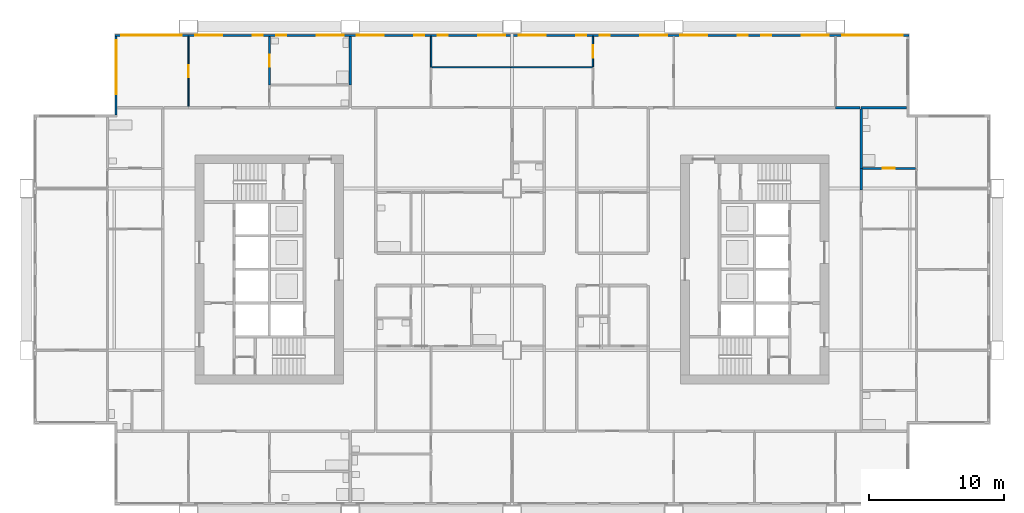
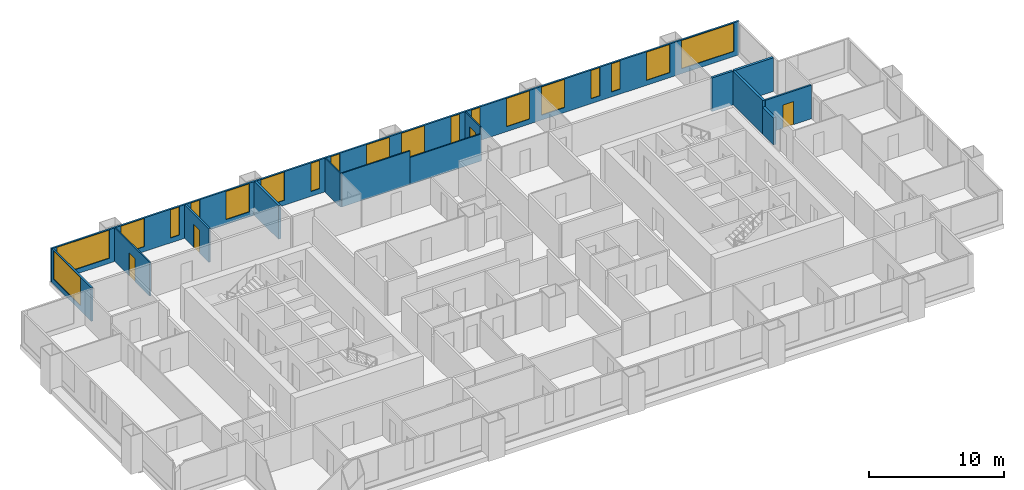
# One storey, part 8 of 13: 19 windows, 14 walls, 4 doors, 23 openings.
"""IFC4 building model written with IfcOpenShell, lengths in metres."""

from ifc_helpers import new_model, si_unit, direction, frame, frame_2d, origin, place, context, subcontext, project, spatial, rectangle, extrude, material, layer, layer_set, type_object, element, fill, save


model = new_model("IFC4")

# Units and contexts
model_context = context("Model", 3, precision=1e-05, world=origin(), true_north=direction((0.0, 1.0)))
body_context = subcontext(model_context, "Body", "Model", "MODEL_VIEW")
ifc_project = project(units=[si_unit("LENGTHUNIT", "METRE"), si_unit("AREAUNIT", "SQUARE_METRE"), si_unit("VOLUMEUNIT", "CUBIC_METRE"), si_unit("PLANEANGLEUNIT", "RADIAN"), si_unit("MASSUNIT", "GRAM", prefix="KILO")], contexts=[model_context])

# Site, building, storey
site_placement = place(None, origin())
site = spatial("IfcSite", under=ifc_project, at=site_placement, CompositionType="ELEMENT")
building_placement = place(site_placement, origin())
building = spatial("IfcBuilding", under=site, at=building_placement, Name="Kitamizu Gate Tower and Museum", CompositionType="ELEMENT")
storey_placement = place(building_placement, frame((0.0, 0.0, 144.89990234375)))
storey = spatial("IfcBuildingStorey", under=building, at=storey_placement, Name="L38", CompositionType="ELEMENT", Elevation=144.89990234375)

# Wall, opening, door
ifc_material_1 = material(Name="Gypsum board on galvanised stud")
ifc_layer_1 = layer(ifc_material_1, 0.10009765625)
ifc_layer_set_1 = layer_set([ifc_layer_1], Name="Gypsum board on galvanised stud")
wall_type_1 = type_object("IfcWallType", Name="Partition 100 NOT RATED", PredefinedType="PARTITIONING", material=ifc_layer_set_1)
wall_1_placement = place(storey_placement, frame((12.0, 42.10009765625, 0.0), z_axis=(0.0, 0.0, 1.0), x_axis=(0.0, 1.0, 0.0)))
wall_1 = element("IfcWall", 1, at=wall_1_placement, inside=storey, type_object=wall_type_1, Name="Partition L38-104", PredefinedType="PARTITIONING", context=body_context, shape_type="SweptSolid", body=[
    extrude(rectangle(XDim=5.179931640625, YDim=0.10009765625, at=frame_2d((2.58984375, 0.0))), origin(), (0.0, 0.0, 1.0), 3.050048828125),
])
opening_1_placement = place(wall_1_placement, frame((2.139892578125, 0.0, 0.0)))
opening_1 = element("IfcOpeningElement", 2, at=opening_1_placement, cuts=wall_1, Name="Opening L38-039", PredefinedType="OPENING", context=body_context, shape_type="SweptSolid", body=[
    extrude(rectangle(XDim=0.89990234375, YDim=2.10009765625, at=frame_2d((0.449951171875, 1.050048828125))), frame((0.0, 0.06005859375, 0.0), z_axis=(0.0, -1.0, 0.0), x_axis=(1.0, 0.0, 0.0)), (0.0, 0.0, 1.0), 0.1201171875),
])
ifc_material_2 = material(Name="Timber door set", Category="wood")
door_type_1 = type_object("IfcDoorType", Name="Room door 900", OperationType="NOTDEFINED", PredefinedType="DOOR", material=ifc_material_2)
door_1_placement = place(opening_1_placement, origin())
door_1 = element("IfcDoor", 3, at=door_1_placement, inside=storey, type_object=door_type_1, Name="Door L38-039", OperationType="SINGLE_SWING_RIGHT", OverallHeight=2.10009765625, OverallWidth=0.89990234375, PredefinedType="DOOR", context=body_context, shape_type="SweptSolid", body=[
    extrude(rectangle(XDim=0.89990234375, YDim=2.10009765625, at=frame_2d((0.449951171875, 1.050048828125))), frame((0.0, 0.02490234375, 0.0), z_axis=(0.0, -1.0, 0.0), x_axis=(1.0, 0.0, 0.0)), (0.0, 0.0, 1.0), 0.050048828125),
])
fill(opening_1, door_1)

# Walls
wall_2_placement = place(storey_placement, frame((30.0, 45.0, 0.0), z_axis=(0.0, 0.0, 1.0), x_axis=(0.0, 1.0, 0.0)))
element("IfcWall", 4, at=wall_2_placement, inside=storey, type_object=wall_type_1, Name="Partition L38-114", PredefinedType="PARTITIONING", context=body_context, shape_type="SweptSolid", body=[
    extrude(rectangle(XDim=2.280029296875, YDim=0.10009765625, at=frame_2d((1.14013671875, 0.0))), origin(), (0.0, 0.0, 1.0), 3.050048828125),
])
wall_3_placement = place(storey_placement, frame((42.0, 45.0, 0.0), z_axis=(0.0, 0.0, 1.0), x_axis=(-1.0, 0.0, 0.0)))
element("IfcWall", 5, at=wall_3_placement, inside=storey, type_object=wall_type_1, Name="Partition L38-117", PredefinedType="PARTITIONING", context=body_context, shape_type="SweptSolid", body=[
    extrude(rectangle(XDim=6.10009765625, YDim=0.10009765625, at=frame_2d((3.050048828125, 0.0))), origin(), (0.0, 0.0, 1.0), 2.4501953125),
])
wall_4_placement = place(storey_placement, frame((35.89990234375, 45.0, 0.0), z_axis=(0.0, 0.0, 1.0), x_axis=(-1.0, 0.0, 0.0)))
element("IfcWall", 6, at=wall_4_placement, inside=storey, type_object=wall_type_1, Name="Partition L38-118", PredefinedType="PARTITIONING", context=body_context, shape_type="SweptSolid", body=[
    extrude(rectangle(XDim=5.849853515625, YDim=0.10009765625, at=frame_2d((2.9248046875, 0.0))), origin(), (0.0, 0.0, 1.0), 3.050048828125),
])

# Wall, opening, door
wall_5_placement = place(storey_placement, frame((42.0, 45.050048828125, 0.0), z_axis=(0.0, 0.0, 1.0), x_axis=(0.0, 1.0, 0.0)))
wall_5 = element("IfcWall", 7, at=wall_5_placement, inside=storey, type_object=wall_type_1, Name="Partition L38-124", PredefinedType="PARTITIONING", context=body_context, shape_type="SweptSolid", body=[
    extrude(rectangle(XDim=2.22998046875, YDim=0.10009765625, at=frame_2d((1.114990234375, 0.0))), origin(), (0.0, 0.0, 1.0), 3.050048828125),
])
opening_2_placement = place(wall_5_placement, frame((0.6650390625, 0.0, 0.0)))
opening_2 = element("IfcOpeningElement", 8, at=opening_2_placement, cuts=wall_5, Name="Opening L38-045", PredefinedType="OPENING", context=body_context, shape_type="SweptSolid", body=[
    extrude(rectangle(XDim=0.89990234375, YDim=2.10009765625, at=frame_2d((0.449951171875, 1.050048828125))), frame((0.0, 0.06005859375, 0.0), z_axis=(0.0, -1.0, 0.0), x_axis=(1.0, 0.0, 0.0)), (0.0, 0.0, 1.0), 0.1201171875),
])
door_2_placement = place(opening_2_placement, origin())
door_2 = element("IfcDoor", 9, at=door_2_placement, inside=storey, type_object=door_type_1, Name="Door L38-045", OperationType="SINGLE_SWING_LEFT", OverallHeight=2.10009765625, OverallWidth=0.89990234375, PredefinedType="DOOR", context=body_context, shape_type="SweptSolid", body=[
    extrude(rectangle(XDim=0.89990234375, YDim=2.10009765625, at=frame_2d((0.449951171875, 1.050048828125))), frame((0.0, 0.02490234375, 0.0), z_axis=(0.0, -1.0, 0.0), x_axis=(1.0, 0.0, 0.0)), (0.0, 0.0, 1.0), 0.050048828125),
])
fill(opening_2, door_2)

ifc_material_3 = material(Name="Gypsum board on galvanised stud")
ifc_layer_2 = layer(ifc_material_3, 0.14990234375)
ifc_layer_set_2 = layer_set([ifc_layer_2], Name="Gypsum board on galvanised stud")
wall_type_2 = type_object("IfcWallType", Name="Partition 150", PredefinedType="PARTITIONING", material=ifc_layer_set_2)
wall_6_placement = place(storey_placement, frame((65.925048828125, 37.5, 0.0), z_axis=(0.0, 0.0, 1.0), x_axis=(-1.0, 0.0, 0.0)))
wall_6 = element("IfcWall", 10, at=wall_6_placement, inside=storey, type_object=wall_type_2, Name="Partition L38-099", PredefinedType="PARTITIONING", context=body_context, shape_type="SweptSolid", body=[
    extrude(rectangle(XDim=3.925048828125, YDim=0.14990234375, at=frame_2d((1.96240234375, 0.0))), origin(), (0.0, 0.0, 1.0), 3.050048828125),
])
opening_3_placement = place(wall_6_placement, frame((1.512451171875, 0.0, 0.0)))
opening_3 = element("IfcOpeningElement", 11, at=opening_3_placement, cuts=wall_6, Name="Opening L38-034", PredefinedType="OPENING", context=body_context, shape_type="SweptSolid", body=[
    extrude(rectangle(XDim=0.89990234375, YDim=2.10009765625, at=frame_2d((0.449951171875, 1.050048828125))), frame((0.0, 0.0849609375, 0.0), z_axis=(0.0, -1.0, 0.0), x_axis=(1.0, 0.0, 0.0)), (0.0, 0.0, 1.0), 0.169921875),
])
ifc_material_4 = material(Name="Timber door set", Category="wood")
door_type_2 = type_object("IfcDoorType", Name="Bathroom door 900", OperationType="NOTDEFINED", PredefinedType="DOOR", material=ifc_material_4)
door_3_placement = place(opening_3_placement, frame((0.89990234375, 0.0, 0.0), x_axis=(-1.0, 0.0, 0.0)))
door_3 = element("IfcDoor", 12, at=door_3_placement, inside=storey, type_object=door_type_2, Name="Bathroom door L38-034", OperationType="SINGLE_SWING_LEFT", OverallHeight=2.10009765625, OverallWidth=0.89990234375, PredefinedType="DOOR", context=body_context, shape_type="SweptSolid", body=[
    extrude(rectangle(XDim=0.89990234375, YDim=2.10009765625, at=frame_2d((0.449951171875, 1.050048828125))), frame((0.0, 0.02490234375, 0.0), z_axis=(0.0, -1.0, 0.0), x_axis=(1.0, 0.0, 0.0)), (0.0, 0.0, 1.0), 0.050048828125),
])
fill(opening_3, door_3)

wall_7_placement = place(storey_placement, frame((18.0, 43.679931640625, 0.0), z_axis=(0.0, 0.0, 1.0), x_axis=(0.0, 1.0, 0.0)))
wall_7 = element("IfcWall", 13, at=wall_7_placement, inside=storey, type_object=wall_type_2, Name="Partition L38-106", PredefinedType="PARTITIONING", context=body_context, shape_type="SweptSolid", body=[
    extrude(rectangle(XDim=3.60009765625, YDim=0.14990234375, at=frame_2d((1.800048828125, 0.0))), origin(), (0.0, 0.0, 1.0), 3.050048828125),
])
opening_4_placement = place(wall_7_placement, frame((1.35009765625, 0.0, 0.0)))
opening_4 = element("IfcOpeningElement", 14, at=opening_4_placement, cuts=wall_7, Name="Opening L38-040", PredefinedType="OPENING", context=body_context, shape_type="SweptSolid", body=[
    extrude(rectangle(XDim=0.89990234375, YDim=2.10009765625, at=frame_2d((0.449951171875, 1.050048828125))), frame((0.0, 0.0849609375, 0.0), z_axis=(0.0, -1.0, 0.0), x_axis=(1.0, 0.0, 0.0)), (0.0, 0.0, 1.0), 0.169921875),
])
door_4_placement = place(opening_4_placement, frame((0.89990234375, 0.0, 0.0), x_axis=(-1.0, 0.0, 0.0)))
door_4 = element("IfcDoor", 15, at=door_4_placement, inside=storey, type_object=door_type_2, Name="Bathroom door L38-040", OperationType="SINGLE_SWING_RIGHT", OverallHeight=2.10009765625, OverallWidth=0.89990234375, PredefinedType="DOOR", context=body_context, shape_type="SweptSolid", body=[
    extrude(rectangle(XDim=0.89990234375, YDim=2.10009765625, at=frame_2d((0.449951171875, 1.050048828125))), frame((0.0, 0.02490234375, 0.0), z_axis=(0.0, -1.0, 0.0), x_axis=(1.0, 0.0, 0.0)), (0.0, 0.0, 1.0), 0.050048828125),
])
fill(opening_4, door_4)

# Walls
ifc_material_5 = material(Name="Gypsum board on galvanised stud")
ifc_layer_3 = layer(ifc_material_5, 0.199951171875)
ifc_layer_set_3 = layer_set([ifc_layer_3], Name="Gypsum board on galvanised stud")
wall_type_3 = type_object("IfcWallType", Name="Partition 200", PredefinedType="PARTITIONING", material=ifc_layer_set_3)
wall_8_placement = place(storey_placement, frame((61.89990234375, 37.5, 0.0), z_axis=(0.0, 0.0, 1.0), x_axis=(0.0, -1.0, 0.0)))
element("IfcWall", 16, at=wall_8_placement, inside=storey, type_object=wall_type_3, Name="Partition L38-100", PredefinedType="PARTITIONING", context=body_context, shape_type="SweptSolid", body=[
    extrude(rectangle(XDim=1.60009765625, YDim=0.199951171875, at=frame_2d((0.800048828125, 0.0))), origin(), (0.0, 0.0, 1.0), 2.4501953125),
])
wall_9_placement = place(storey_placement, frame((65.280029296875, 42.0, 0.0), z_axis=(0.0, 0.0, 1.0), x_axis=(-1.0, 0.0, 0.0)))
element("IfcWall", 17, at=wall_9_placement, inside=storey, type_object=wall_type_3, Name="Partition L38-102", PredefinedType="PARTITIONING", context=body_context, shape_type="SweptSolid", body=[
    extrude(rectangle(XDim=3.380126953125, YDim=0.199951171875, at=frame_2d((1.68994140625, 0.0))), origin(), (0.0, 0.0, 1.0), 3.050048828125),
])
wall_10_placement = place(storey_placement, frame((61.89990234375, 41.89990234375, 0.0), z_axis=(0.0, 0.0, 1.0), x_axis=(0.0, -1.0, 0.0)))
element("IfcWall", 18, at=wall_10_placement, inside=storey, type_object=wall_type_3, Name="Partition L38-103", PredefinedType="PARTITIONING", context=body_context, shape_type="SweptSolid", body=[
    extrude(rectangle(XDim=4.39990234375, YDim=0.199951171875, at=frame_2d((2.199951171875, 0.0))), origin(), (0.0, 0.0, 1.0), 3.050048828125),
])
wall_11_placement = place(storey_placement, frame((24.0, 43.679931640625, 0.0), z_axis=(0.0, 0.0, 1.0), x_axis=(0.0, 1.0, 0.0)))
element("IfcWall", 19, at=wall_11_placement, inside=storey, type_object=wall_type_3, Name="Partition L38-110", PredefinedType="PARTITIONING", context=body_context, shape_type="SweptSolid", body=[
    extrude(rectangle(XDim=3.60009765625, YDim=0.199951171875, at=frame_2d((1.800048828125, 0.0))), origin(), (0.0, 0.0, 1.0), 3.050048828125),
])
wall_12_placement = place(storey_placement, frame((60.0, 42.0, 0.0), z_axis=(0.0, 0.0, 1.0), x_axis=(1.0, 0.0, 0.0)))
element("IfcWall", 20, at=wall_12_placement, inside=storey, type_object=wall_type_3, Name="Partition L38-130", PredefinedType="PARTITIONING", context=body_context, shape_type="SweptSolid", body=[
    extrude(rectangle(XDim=1.800048828125, YDim=0.199951171875, at=frame_2d((0.89990234375, 0.0))), origin(), (0.0, 0.0, 1.0), 3.050048828125),
])

# Wall, openings, windows
ifc_material_6 = material(Name="Bronze anodised aluminium frame with insulated spandrel and tinted glass", Category="aluminium")
ifc_layer_4 = layer(ifc_material_6, 0.14990234375)
ifc_layer_set_4 = layer_set([ifc_layer_4], Name="Bronze anodised aluminium frame with insulated spandrel and tinted glass")
wall_type_4 = type_object("IfcWallType", Name="WINDOW WALL 150 BRONZE FRAME EI 30", PredefinedType="ELEMENTEDWALL", material=ifc_layer_set_4)
wall_13_placement = place(storey_placement, frame((6.56005859375, 47.364990234375, 0.0), z_axis=(0.0, 0.0, 1.0), x_axis=(1.0, 0.0, 0.0)))
wall_13 = element("IfcWall", 21, at=wall_13_placement, inside=storey, type_object=wall_type_4, Name="Window wall north L38", PredefinedType="ELEMENTEDWALL", context=body_context, shape_type="SweptSolid", body=[
    extrude(rectangle(XDim=58.8798828125, YDim=0.14990234375, at=frame_2d((29.43994140625, 0.0))), origin(), (0.0, 0.0, 1.0), 3.050048828125),
])
opening_5_placement = place(wall_13_placement, frame((0.43994140625, 0.0, 0.449951171875)))
opening_5 = element("IfcOpeningElement", 22, at=opening_5_placement, cuts=wall_13, Name="Opening W15", PredefinedType="OPENING", context=body_context, shape_type="SweptSolid", body=[
    extrude(rectangle(XDim=4.5, YDim=2.550048828125, at=frame_2d((2.25, 1.27490234375))), frame((0.0, 0.0849609375, 0.0), z_axis=(0.0, -1.0, 0.0), x_axis=(1.0, 0.0, 0.0)), (0.0, 0.0, 1.0), 0.169921875),
])
opening_6_placement = place(wall_13_placement, frame((5.93994140625, 0.0, 0.449951171875)))
opening_6 = element("IfcOpeningElement", 23, at=opening_6_placement, cuts=wall_13, Name="Opening W2", PredefinedType="OPENING", context=body_context, shape_type="SweptSolid", body=[
    extrude(rectangle(XDim=2.0, YDim=2.550048828125, at=frame_2d((1.0, 1.27490234375))), frame((0.0, 0.0849609375, 0.0), z_axis=(0.0, -1.0, 0.0), x_axis=(1.0, 0.0, 0.0)), (0.0, 0.0, 1.0), 0.169921875),
])
opening_7_placement = place(wall_13_placement, frame((10.18994140625, 0.0, 0.449951171875)))
opening_7 = element("IfcOpeningElement", 24, at=opening_7_placement, cuts=wall_13, Name="Opening W25", PredefinedType="OPENING", context=body_context, shape_type="SweptSolid", body=[
    extrude(rectangle(XDim=0.75, YDim=2.550048828125, at=frame_2d((0.375, 1.27490234375))), frame((0.0, 0.0849609375, 0.0), z_axis=(0.0, -1.0, 0.0), x_axis=(1.0, 0.0, 0.0)), (0.0, 0.0, 1.0), 0.169921875),
])
opening_8_placement = place(wall_13_placement, frame((11.93994140625, 0.0, 0.449951171875)))
opening_8 = element("IfcOpeningElement", 25, at=opening_8_placement, cuts=wall_13, Name="Opening W25", PredefinedType="OPENING", context=body_context, shape_type="SweptSolid", body=[
    extrude(rectangle(XDim=0.75, YDim=2.550048828125, at=frame_2d((0.375, 1.27490234375))), frame((0.0, 0.0849609375, 0.0), z_axis=(0.0, -1.0, 0.0), x_axis=(1.0, 0.0, 0.0)), (0.0, 0.0, 1.0), 0.169921875),
])
opening_9_placement = place(wall_13_placement, frame((14.93994140625, 0.0, 0.449951171875)))
opening_9 = element("IfcOpeningElement", 26, at=opening_9_placement, cuts=wall_13, Name="Opening W2", PredefinedType="OPENING", context=body_context, shape_type="SweptSolid", body=[
    extrude(rectangle(XDim=2.0, YDim=2.550048828125, at=frame_2d((1.0, 1.27490234375))), frame((0.0, 0.0849609375, 0.0), z_axis=(0.0, -1.0, 0.0), x_axis=(1.0, 0.0, 0.0)), (0.0, 0.0, 1.0), 0.169921875),
])
opening_10_placement = place(wall_13_placement, frame((17.93994140625, 0.0, 0.449951171875)))
opening_10 = element("IfcOpeningElement", 27, at=opening_10_placement, cuts=wall_13, Name="Opening W2", PredefinedType="OPENING", context=body_context, shape_type="SweptSolid", body=[
    extrude(rectangle(XDim=2.0, YDim=2.550048828125, at=frame_2d((1.0, 1.27490234375))), frame((0.0, 0.0849609375, 0.0), z_axis=(0.0, -1.0, 0.0), x_axis=(1.0, 0.0, 0.0)), (0.0, 0.0, 1.0), 0.169921875),
])
opening_11_placement = place(wall_13_placement, frame((22.18994140625, 0.0, 0.449951171875)))
opening_11 = element("IfcOpeningElement", 28, at=opening_11_placement, cuts=wall_13, Name="Opening W25", PredefinedType="OPENING", context=body_context, shape_type="SweptSolid", body=[
    extrude(rectangle(XDim=0.75, YDim=2.550048828125, at=frame_2d((0.375, 1.27490234375))), frame((0.0, 0.0849609375, 0.0), z_axis=(0.0, -1.0, 0.0), x_axis=(1.0, 0.0, 0.0)), (0.0, 0.0, 1.0), 0.169921875),
])
opening_12_placement = place(wall_13_placement, frame((23.93994140625, 0.0, 0.449951171875)))
opening_12 = element("IfcOpeningElement", 29, at=opening_12_placement, cuts=wall_13, Name="Opening W25", PredefinedType="OPENING", context=body_context, shape_type="SweptSolid", body=[
    extrude(rectangle(XDim=0.75, YDim=2.550048828125, at=frame_2d((0.375, 1.27490234375))), frame((0.0, 0.0849609375, 0.0), z_axis=(0.0, -1.0, 0.0), x_axis=(1.0, 0.0, 0.0)), (0.0, 0.0, 1.0), 0.169921875),
])
opening_13_placement = place(wall_13_placement, frame((26.93994140625, 0.0, 0.449951171875)))
opening_13 = element("IfcOpeningElement", 30, at=opening_13_placement, cuts=wall_13, Name="Opening W2", PredefinedType="OPENING", context=body_context, shape_type="SweptSolid", body=[
    extrude(rectangle(XDim=2.0, YDim=2.550048828125, at=frame_2d((1.0, 1.27490234375))), frame((0.0, 0.0849609375, 0.0), z_axis=(0.0, -1.0, 0.0), x_axis=(1.0, 0.0, 0.0)), (0.0, 0.0, 1.0), 0.169921875),
])
opening_14_placement = place(wall_13_placement, frame((29.93994140625, 0.0, 0.449951171875)))
opening_14 = element("IfcOpeningElement", 31, at=opening_14_placement, cuts=wall_13, Name="Opening W2", PredefinedType="OPENING", context=body_context, shape_type="SweptSolid", body=[
    extrude(rectangle(XDim=2.0, YDim=2.550048828125, at=frame_2d((1.0, 1.27490234375))), frame((0.0, 0.0849609375, 0.0), z_axis=(0.0, -1.0, 0.0), x_axis=(1.0, 0.0, 0.0)), (0.0, 0.0, 1.0), 0.169921875),
])
opening_15_placement = place(wall_13_placement, frame((34.18994140625, 0.0, 0.449951171875)))
opening_15 = element("IfcOpeningElement", 32, at=opening_15_placement, cuts=wall_13, Name="Opening W25", PredefinedType="OPENING", context=body_context, shape_type="SweptSolid", body=[
    extrude(rectangle(XDim=0.75, YDim=2.550048828125, at=frame_2d((0.375, 1.27490234375))), frame((0.0, 0.0849609375, 0.0), z_axis=(0.0, -1.0, 0.0), x_axis=(1.0, 0.0, 0.0)), (0.0, 0.0, 1.0), 0.169921875),
])
opening_16_placement = place(wall_13_placement, frame((35.93994140625, 0.0, 0.449951171875)))
opening_16 = element("IfcOpeningElement", 33, at=opening_16_placement, cuts=wall_13, Name="Opening W25", PredefinedType="OPENING", context=body_context, shape_type="SweptSolid", body=[
    extrude(rectangle(XDim=0.75, YDim=2.550048828125, at=frame_2d((0.375, 1.27490234375))), frame((0.0, 0.0849609375, 0.0), z_axis=(0.0, -1.0, 0.0), x_axis=(1.0, 0.0, 0.0)), (0.0, 0.0, 1.0), 0.169921875),
])
opening_17_placement = place(wall_13_placement, frame((38.93994140625, 0.0, 0.449951171875)))
opening_17 = element("IfcOpeningElement", 34, at=opening_17_placement, cuts=wall_13, Name="Opening W2", PredefinedType="OPENING", context=body_context, shape_type="SweptSolid", body=[
    extrude(rectangle(XDim=2.0, YDim=2.550048828125, at=frame_2d((1.0, 1.27490234375))), frame((0.0, 0.0849609375, 0.0), z_axis=(0.0, -1.0, 0.0), x_axis=(1.0, 0.0, 0.0)), (0.0, 0.0, 1.0), 0.169921875),
])
opening_18_placement = place(wall_13_placement, frame((41.93994140625, 0.0, 0.449951171875)))
opening_18 = element("IfcOpeningElement", 35, at=opening_18_placement, cuts=wall_13, Name="Opening W2", PredefinedType="OPENING", context=body_context, shape_type="SweptSolid", body=[
    extrude(rectangle(XDim=2.0, YDim=2.550048828125, at=frame_2d((1.0, 1.27490234375))), frame((0.0, 0.0849609375, 0.0), z_axis=(0.0, -1.0, 0.0), x_axis=(1.0, 0.0, 0.0)), (0.0, 0.0, 1.0), 0.169921875),
])
opening_19_placement = place(wall_13_placement, frame((46.18994140625, 0.0, 0.449951171875)))
opening_19 = element("IfcOpeningElement", 36, at=opening_19_placement, cuts=wall_13, Name="Opening W25", PredefinedType="OPENING", context=body_context, shape_type="SweptSolid", body=[
    extrude(rectangle(XDim=0.75, YDim=2.550048828125, at=frame_2d((0.375, 1.27490234375))), frame((0.0, 0.0849609375, 0.0), z_axis=(0.0, -1.0, 0.0), x_axis=(1.0, 0.0, 0.0)), (0.0, 0.0, 1.0), 0.169921875),
])
opening_20_placement = place(wall_13_placement, frame((47.93994140625, 0.0, 0.449951171875)))
opening_20 = element("IfcOpeningElement", 37, at=opening_20_placement, cuts=wall_13, Name="Opening W25", PredefinedType="OPENING", context=body_context, shape_type="SweptSolid", body=[
    extrude(rectangle(XDim=0.75, YDim=2.550048828125, at=frame_2d((0.375, 1.27490234375))), frame((0.0, 0.0849609375, 0.0), z_axis=(0.0, -1.0, 0.0), x_axis=(1.0, 0.0, 0.0)), (0.0, 0.0, 1.0), 0.169921875),
])
opening_21_placement = place(wall_13_placement, frame((50.93994140625, 0.0, 0.449951171875)))
opening_21 = element("IfcOpeningElement", 38, at=opening_21_placement, cuts=wall_13, Name="Opening W2", PredefinedType="OPENING", context=body_context, shape_type="SweptSolid", body=[
    extrude(rectangle(XDim=2.0, YDim=2.550048828125, at=frame_2d((1.0, 1.27490234375))), frame((0.0, 0.0849609375, 0.0), z_axis=(0.0, -1.0, 0.0), x_axis=(1.0, 0.0, 0.0)), (0.0, 0.0, 1.0), 0.169921875),
])
opening_22_placement = place(wall_13_placement, frame((53.93994140625, 0.0, 0.449951171875)))
opening_22 = element("IfcOpeningElement", 39, at=opening_22_placement, cuts=wall_13, Name="Opening W15", PredefinedType="OPENING", context=body_context, shape_type="SweptSolid", body=[
    extrude(rectangle(XDim=4.5, YDim=2.550048828125, at=frame_2d((2.25, 1.27490234375))), frame((0.0, 0.0849609375, 0.0), z_axis=(0.0, -1.0, 0.0), x_axis=(1.0, 0.0, 0.0)), (0.0, 0.0, 1.0), 0.169921875),
])
ifc_material_7 = material(Name="Bronze anodised aluminium frame, tinted triple glazing", Category="aluminium")
window_type_1 = type_object("IfcWindowType", Name="WINDOW 2000 x 2550 SILL 450", PartitioningType="SINGLE_PANEL", PredefinedType="WINDOW", material=ifc_material_7)
window_1_placement = place(opening_6_placement, origin())
window_1 = element("IfcWindow", 40, at=window_1_placement, inside=storey, type_object=window_type_1, Name="Window W2 L38", OverallHeight=2.550048828125, OverallWidth=2.0, PartitioningType="SINGLE_PANEL", PredefinedType="WINDOW", context=body_context, shape_type="SweptSolid", body=[
    extrude(rectangle(XDim=2.0, YDim=2.550048828125, at=frame_2d((1.0, 1.27490234375))), frame((0.0, 0.030029296875, 0.0), z_axis=(0.0, -1.0, 0.0), x_axis=(1.0, 0.0, 0.0)), (0.0, 0.0, 1.0), 0.06005859375),
])
fill(opening_6, window_1)
window_2_placement = place(opening_9_placement, origin())
window_2 = element("IfcWindow", 41, at=window_2_placement, inside=storey, type_object=window_type_1, Name="Window W2 L38", OverallHeight=2.550048828125, OverallWidth=2.0, PartitioningType="SINGLE_PANEL", PredefinedType="WINDOW", context=body_context, shape_type="SweptSolid", body=[
    extrude(rectangle(XDim=2.0, YDim=2.550048828125, at=frame_2d((1.0, 1.27490234375))), frame((0.0, 0.030029296875, 0.0), z_axis=(0.0, -1.0, 0.0), x_axis=(1.0, 0.0, 0.0)), (0.0, 0.0, 1.0), 0.06005859375),
])
fill(opening_9, window_2)
window_3_placement = place(opening_10_placement, origin())
window_3 = element("IfcWindow", 42, at=window_3_placement, inside=storey, type_object=window_type_1, Name="Window W2 L38", OverallHeight=2.550048828125, OverallWidth=2.0, PartitioningType="SINGLE_PANEL", PredefinedType="WINDOW", context=body_context, shape_type="SweptSolid", body=[
    extrude(rectangle(XDim=2.0, YDim=2.550048828125, at=frame_2d((1.0, 1.27490234375))), frame((0.0, 0.030029296875, 0.0), z_axis=(0.0, -1.0, 0.0), x_axis=(1.0, 0.0, 0.0)), (0.0, 0.0, 1.0), 0.06005859375),
])
fill(opening_10, window_3)
window_4_placement = place(opening_13_placement, origin())
window_4 = element("IfcWindow", 43, at=window_4_placement, inside=storey, type_object=window_type_1, Name="Window W2 L38", OverallHeight=2.550048828125, OverallWidth=2.0, PartitioningType="SINGLE_PANEL", PredefinedType="WINDOW", context=body_context, shape_type="SweptSolid", body=[
    extrude(rectangle(XDim=2.0, YDim=2.550048828125, at=frame_2d((1.0, 1.27490234375))), frame((0.0, 0.030029296875, 0.0), z_axis=(0.0, -1.0, 0.0), x_axis=(1.0, 0.0, 0.0)), (0.0, 0.0, 1.0), 0.06005859375),
])
fill(opening_13, window_4)
window_5_placement = place(opening_14_placement, origin())
window_5 = element("IfcWindow", 44, at=window_5_placement, inside=storey, type_object=window_type_1, Name="Window W2 L38", OverallHeight=2.550048828125, OverallWidth=2.0, PartitioningType="SINGLE_PANEL", PredefinedType="WINDOW", context=body_context, shape_type="SweptSolid", body=[
    extrude(rectangle(XDim=2.0, YDim=2.550048828125, at=frame_2d((1.0, 1.27490234375))), frame((0.0, 0.030029296875, 0.0), z_axis=(0.0, -1.0, 0.0), x_axis=(1.0, 0.0, 0.0)), (0.0, 0.0, 1.0), 0.06005859375),
])
fill(opening_14, window_5)
window_6_placement = place(opening_17_placement, origin())
window_6 = element("IfcWindow", 45, at=window_6_placement, inside=storey, type_object=window_type_1, Name="Window W2 L38", OverallHeight=2.550048828125, OverallWidth=2.0, PartitioningType="SINGLE_PANEL", PredefinedType="WINDOW", context=body_context, shape_type="SweptSolid", body=[
    extrude(rectangle(XDim=2.0, YDim=2.550048828125, at=frame_2d((1.0, 1.27490234375))), frame((0.0, 0.030029296875, 0.0), z_axis=(0.0, -1.0, 0.0), x_axis=(1.0, 0.0, 0.0)), (0.0, 0.0, 1.0), 0.06005859375),
])
fill(opening_17, window_6)
window_7_placement = place(opening_18_placement, origin())
window_7 = element("IfcWindow", 46, at=window_7_placement, inside=storey, type_object=window_type_1, Name="Window W2 L38", OverallHeight=2.550048828125, OverallWidth=2.0, PartitioningType="SINGLE_PANEL", PredefinedType="WINDOW", context=body_context, shape_type="SweptSolid", body=[
    extrude(rectangle(XDim=2.0, YDim=2.550048828125, at=frame_2d((1.0, 1.27490234375))), frame((0.0, 0.030029296875, 0.0), z_axis=(0.0, -1.0, 0.0), x_axis=(1.0, 0.0, 0.0)), (0.0, 0.0, 1.0), 0.06005859375),
])
fill(opening_18, window_7)
window_8_placement = place(opening_21_placement, origin())
window_8 = element("IfcWindow", 47, at=window_8_placement, inside=storey, type_object=window_type_1, Name="Window W2 L38", OverallHeight=2.550048828125, OverallWidth=2.0, PartitioningType="SINGLE_PANEL", PredefinedType="WINDOW", context=body_context, shape_type="SweptSolid", body=[
    extrude(rectangle(XDim=2.0, YDim=2.550048828125, at=frame_2d((1.0, 1.27490234375))), frame((0.0, 0.030029296875, 0.0), z_axis=(0.0, -1.0, 0.0), x_axis=(1.0, 0.0, 0.0)), (0.0, 0.0, 1.0), 0.06005859375),
])
fill(opening_21, window_8)
ifc_material_8 = material(Name="Bronze anodised aluminium frame, tinted triple glazing", Category="aluminium")
window_type_2 = type_object("IfcWindowType", Name="WINDOW 4500 x 2550 SILL 450", PartitioningType="SINGLE_PANEL", PredefinedType="WINDOW", material=ifc_material_8)
window_9_placement = place(opening_5_placement, origin())
window_9 = element("IfcWindow", 48, at=window_9_placement, inside=storey, type_object=window_type_2, Name="Window W15 L38", OverallHeight=2.550048828125, OverallWidth=4.5, PartitioningType="SINGLE_PANEL", PredefinedType="WINDOW", context=body_context, shape_type="SweptSolid", body=[
    extrude(rectangle(XDim=4.5, YDim=2.550048828125, at=frame_2d((2.25, 1.27490234375))), frame((0.0, 0.030029296875, 0.0), z_axis=(0.0, -1.0, 0.0), x_axis=(1.0, 0.0, 0.0)), (0.0, 0.0, 1.0), 0.06005859375),
])
fill(opening_5, window_9)
window_10_placement = place(opening_22_placement, origin())
window_10 = element("IfcWindow", 49, at=window_10_placement, inside=storey, type_object=window_type_2, Name="Window W15 L38", OverallHeight=2.550048828125, OverallWidth=4.5, PartitioningType="SINGLE_PANEL", PredefinedType="WINDOW", context=body_context, shape_type="SweptSolid", body=[
    extrude(rectangle(XDim=4.5, YDim=2.550048828125, at=frame_2d((2.25, 1.27490234375))), frame((0.0, 0.030029296875, 0.0), z_axis=(0.0, -1.0, 0.0), x_axis=(1.0, 0.0, 0.0)), (0.0, 0.0, 1.0), 0.06005859375),
])
fill(opening_22, window_10)
ifc_material_9 = material(Name="Bronze anodised aluminium frame, tinted triple glazing", Category="aluminium")
window_type_3 = type_object("IfcWindowType", Name="WINDOW 750 x 2550 SILL 450", PartitioningType="SINGLE_PANEL", PredefinedType="WINDOW", material=ifc_material_9)
window_11_placement = place(opening_7_placement, origin())
window_11 = element("IfcWindow", 50, at=window_11_placement, inside=storey, type_object=window_type_3, Name="Window W25 L38", OverallHeight=2.550048828125, OverallWidth=0.75, PartitioningType="SINGLE_PANEL", PredefinedType="WINDOW", context=body_context, shape_type="SweptSolid", body=[
    extrude(rectangle(XDim=0.75, YDim=2.550048828125, at=frame_2d((0.375, 1.27490234375))), frame((0.0, 0.030029296875, 0.0), z_axis=(0.0, -1.0, 0.0), x_axis=(1.0, 0.0, 0.0)), (0.0, 0.0, 1.0), 0.06005859375),
])
fill(opening_7, window_11)
window_12_placement = place(opening_8_placement, origin())
window_12 = element("IfcWindow", 51, at=window_12_placement, inside=storey, type_object=window_type_3, Name="Window W25 L38", OverallHeight=2.550048828125, OverallWidth=0.75, PartitioningType="SINGLE_PANEL", PredefinedType="WINDOW", context=body_context, shape_type="SweptSolid", body=[
    extrude(rectangle(XDim=0.75, YDim=2.550048828125, at=frame_2d((0.375, 1.27490234375))), frame((0.0, 0.030029296875, 0.0), z_axis=(0.0, -1.0, 0.0), x_axis=(1.0, 0.0, 0.0)), (0.0, 0.0, 1.0), 0.06005859375),
])
fill(opening_8, window_12)
window_13_placement = place(opening_11_placement, origin())
window_13 = element("IfcWindow", 52, at=window_13_placement, inside=storey, type_object=window_type_3, Name="Window W25 L38", OverallHeight=2.550048828125, OverallWidth=0.75, PartitioningType="SINGLE_PANEL", PredefinedType="WINDOW", context=body_context, shape_type="SweptSolid", body=[
    extrude(rectangle(XDim=0.75, YDim=2.550048828125, at=frame_2d((0.375, 1.27490234375))), frame((0.0, 0.030029296875, 0.0), z_axis=(0.0, -1.0, 0.0), x_axis=(1.0, 0.0, 0.0)), (0.0, 0.0, 1.0), 0.06005859375),
])
fill(opening_11, window_13)
window_14_placement = place(opening_12_placement, origin())
window_14 = element("IfcWindow", 53, at=window_14_placement, inside=storey, type_object=window_type_3, Name="Window W25 L38", OverallHeight=2.550048828125, OverallWidth=0.75, PartitioningType="SINGLE_PANEL", PredefinedType="WINDOW", context=body_context, shape_type="SweptSolid", body=[
    extrude(rectangle(XDim=0.75, YDim=2.550048828125, at=frame_2d((0.375, 1.27490234375))), frame((0.0, 0.030029296875, 0.0), z_axis=(0.0, -1.0, 0.0), x_axis=(1.0, 0.0, 0.0)), (0.0, 0.0, 1.0), 0.06005859375),
])
fill(opening_12, window_14)
window_15_placement = place(opening_15_placement, origin())
window_15 = element("IfcWindow", 54, at=window_15_placement, inside=storey, type_object=window_type_3, Name="Window W25 L38", OverallHeight=2.550048828125, OverallWidth=0.75, PartitioningType="SINGLE_PANEL", PredefinedType="WINDOW", context=body_context, shape_type="SweptSolid", body=[
    extrude(rectangle(XDim=0.75, YDim=2.550048828125, at=frame_2d((0.375, 1.27490234375))), frame((0.0, 0.030029296875, 0.0), z_axis=(0.0, -1.0, 0.0), x_axis=(1.0, 0.0, 0.0)), (0.0, 0.0, 1.0), 0.06005859375),
])
fill(opening_15, window_15)
window_16_placement = place(opening_16_placement, origin())
window_16 = element("IfcWindow", 55, at=window_16_placement, inside=storey, type_object=window_type_3, Name="Window W25 L38", OverallHeight=2.550048828125, OverallWidth=0.75, PartitioningType="SINGLE_PANEL", PredefinedType="WINDOW", context=body_context, shape_type="SweptSolid", body=[
    extrude(rectangle(XDim=0.75, YDim=2.550048828125, at=frame_2d((0.375, 1.27490234375))), frame((0.0, 0.030029296875, 0.0), z_axis=(0.0, -1.0, 0.0), x_axis=(1.0, 0.0, 0.0)), (0.0, 0.0, 1.0), 0.06005859375),
])
fill(opening_16, window_16)
window_17_placement = place(opening_19_placement, origin())
window_17 = element("IfcWindow", 56, at=window_17_placement, inside=storey, type_object=window_type_3, Name="Window W25 L38", OverallHeight=2.550048828125, OverallWidth=0.75, PartitioningType="SINGLE_PANEL", PredefinedType="WINDOW", context=body_context, shape_type="SweptSolid", body=[
    extrude(rectangle(XDim=0.75, YDim=2.550048828125, at=frame_2d((0.375, 1.27490234375))), frame((0.0, 0.030029296875, 0.0), z_axis=(0.0, -1.0, 0.0), x_axis=(1.0, 0.0, 0.0)), (0.0, 0.0, 1.0), 0.06005859375),
])
fill(opening_19, window_17)
window_18_placement = place(opening_20_placement, origin())
window_18 = element("IfcWindow", 57, at=window_18_placement, inside=storey, type_object=window_type_3, Name="Window W25 L38", OverallHeight=2.550048828125, OverallWidth=0.75, PartitioningType="SINGLE_PANEL", PredefinedType="WINDOW", context=body_context, shape_type="SweptSolid", body=[
    extrude(rectangle(XDim=0.75, YDim=2.550048828125, at=frame_2d((0.375, 1.27490234375))), frame((0.0, 0.030029296875, 0.0), z_axis=(0.0, -1.0, 0.0), x_axis=(1.0, 0.0, 0.0)), (0.0, 0.0, 1.0), 0.06005859375),
])
fill(opening_20, window_18)

# Wall, opening, window
wall_14_placement = place(storey_placement, frame((6.635009765625, 41.43994140625, 0.0), z_axis=(0.0, 0.0, 1.0), x_axis=(0.0, 1.0, 0.0)))
wall_14 = element("IfcWall", 58, at=wall_14_placement, inside=storey, type_object=wall_type_4, Name="Window wall west L38", PredefinedType="ELEMENTEDWALL", context=body_context, shape_type="SweptSolid", body=[
    extrude(rectangle(XDim=5.85009765625, YDim=0.14990234375, at=frame_2d((2.925048828125, 0.0))), origin(), (0.0, 0.0, 1.0), 3.050048828125),
])
opening_23_placement = place(wall_14_placement, frame((1.56005859375, 0.0, 0.449951171875)))
opening_23 = element("IfcOpeningElement", 59, at=opening_23_placement, cuts=wall_14, Name="Opening W16", PredefinedType="OPENING", context=body_context, shape_type="SweptSolid", body=[
    extrude(rectangle(XDim=4.0, YDim=2.550048828125, at=frame_2d((2.0, 1.27490234375))), frame((0.0, 0.0849609375, 0.0), z_axis=(0.0, -1.0, 0.0), x_axis=(1.0, 0.0, 0.0)), (0.0, 0.0, 1.0), 0.169921875),
])
ifc_material_10 = material(Name="Bronze anodised aluminium frame, tinted triple glazing", Category="aluminium")
window_type_4 = type_object("IfcWindowType", Name="WINDOW 4000 x 2550 SILL 450", PartitioningType="SINGLE_PANEL", PredefinedType="WINDOW", material=ifc_material_10)
window_19_placement = place(opening_23_placement, origin())
window_19 = element("IfcWindow", 60, at=window_19_placement, inside=storey, type_object=window_type_4, Name="Window W16 L38", OverallHeight=2.550048828125, OverallWidth=4.0, PartitioningType="SINGLE_PANEL", PredefinedType="WINDOW", context=body_context, shape_type="SweptSolid", body=[
    extrude(rectangle(XDim=4.0, YDim=2.550048828125, at=frame_2d((2.0, 1.27490234375))), frame((0.0, 0.030029296875, 0.0), z_axis=(0.0, -1.0, 0.0), x_axis=(1.0, 0.0, 0.0)), (0.0, 0.0, 1.0), 0.06005859375),
])
fill(opening_23, window_19)

save(model, "model.ifc")
